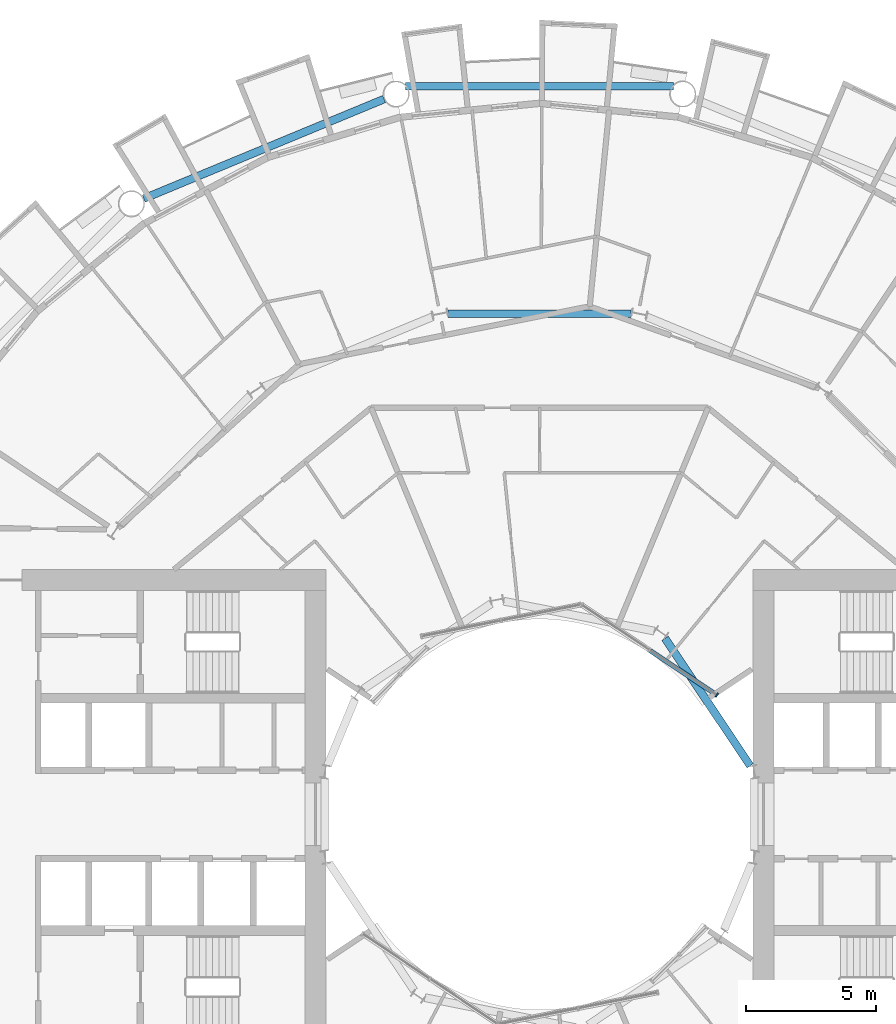
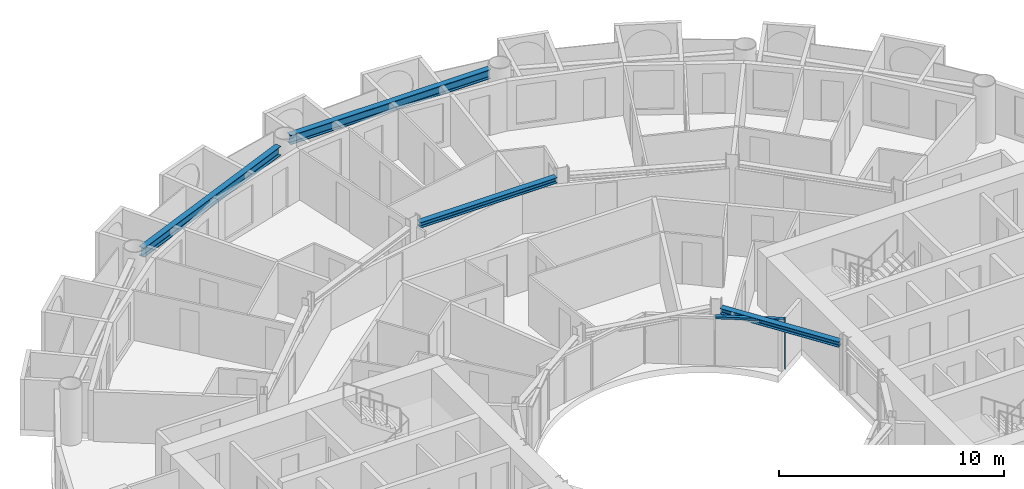
# One storey, part 8 of 26: 4 beams, 2 members, 1 element without a shape of its own.
"""IFC4 building model written with IfcOpenShell, lengths in metres."""

from ifc_helpers import new_model, si_unit, direction, frame, origin, origin_2d, place, context, subcontext, project, spatial, rectangle, i_section, extrude, material, layer, layer_set, material_profile, profile_set, type_object, element, aggregate, save


model = new_model("IFC4")

# Units and contexts
model_context = context("Model", 3, precision=1e-05, world=origin(), true_north=direction((0.0, 1.0)))
body_context = subcontext(model_context, "Body", "Model", "MODEL_VIEW")
ifc_project = project(units=[si_unit("LENGTHUNIT", "METRE"), si_unit("AREAUNIT", "SQUARE_METRE"), si_unit("VOLUMEUNIT", "CUBIC_METRE"), si_unit("PLANEANGLEUNIT", "RADIAN"), si_unit("MASSUNIT", "GRAM", prefix="KILO")], contexts=[model_context])

# Site, building, storey
site_placement = place(None, origin())
site = spatial("IfcSite", under=ifc_project, at=site_placement, CompositionType="ELEMENT")
building_placement = place(site_placement, origin())
building = spatial("IfcBuilding", under=site, at=building_placement, Name="Maasbend Ring Residences", CompositionType="ELEMENT")
storey_placement = place(building_placement, frame((0.0, 0.0, 38.050048828125)))
storey = spatial("IfcBuildingStorey", under=building, at=storey_placement, Name="L10", CompositionType="ELEMENT", Elevation=38.050048828125)

# Curtain wall, members
ifc_material_1 = material(Name="Aluminium and clear glass", Category="aluminium")
ifc_layer = layer(ifc_material_1, 0.179931640625)
ifc_layer_set = layer_set([ifc_layer], Name="CW-W")
curtain_wall_type = type_object("IfcCurtainWallType", Name="CW-W", PredefinedType="NOTDEFINED", material=ifc_layer_set)
curtain_wall_placement = place(storey_placement, origin())
curtain_wall = element("IfcCurtainWall", 1, at=curtain_wall_placement, inside=storey, type_object=curtain_wall_type, Name="Well curtain wall N1", PredefinedType="NOTDEFINED")
ifc_material_2 = material(Name="Aluminium 6063-T6", Category="aluminium")
ifc_material_profile_1 = material_profile(ifc_material_2, rectangle(XDim=0.179931640625, YDim=0.06005859375, at=origin_2d()), Name="AL 180x60")
ifc_profile_set_1 = profile_set([ifc_material_profile_1], Name="Aluminium 6063-T6")
member_type_1 = type_object("IfcMemberType", Name="CWM-W", PredefinedType="MULLION", material=ifc_profile_set_1)
member_1_placement = place(storey_placement, frame((6.805908203125, 4.580810546875, 0.0), z_axis=(0.0, 0.0, 1.0), x_axis=(-0.55557023302, -0.831469612303, 0.0)))
member_1 = element("IfcMember", 2, at=member_1_placement, type_object=member_type_1, Name="Mullion well face", PredefinedType="MULLION", context=body_context, shape_type="SweptSolid", body=[
    extrude(rectangle(XDim=0.179931640625, YDim=0.06005859375, at=origin_2d()), origin(), (0.0, 0.0, 1.0), 2.699951171875),
])
ifc_material_3 = material(Name="Aluminium 6063-T6", Category="aluminium")
ifc_material_profile_2 = material_profile(ifc_material_3, rectangle(XDim=0.179931640625, YDim=0.1201171875, at=origin_2d()), Name="AL 180x120")
ifc_profile_set_2 = profile_set([ifc_material_profile_2], Name="Aluminium 6063-T6")
member_type_2 = type_object("IfcMemberType", Name="CWT-W", PredefinedType="USERDEFINED", material=ifc_profile_set_2)
member_2_placement = place(storey_placement, frame((6.781005859375, 4.59765625, 2.639892578125), z_axis=(-0.831496422459, 0.555530106689, 0.0), x_axis=(-0.555530106689, -0.831496422459, 0.0)))
member_2 = element("IfcMember", 3, at=member_2_placement, type_object=member_type_2, Name="Transom well face", ObjectType="TRANSOM", PredefinedType="USERDEFINED", context=body_context, shape_type="SweptSolid", body=[
    extrude(rectangle(XDim=0.179931640625, YDim=0.1201171875, at=origin_2d()), origin(), (0.0, 0.0, 1.0), 3.053955078125),
])
aggregate(curtain_wall, [member_1, member_2])

# Beams
ifc_material_4 = material(Name="Steel S355J2", Category="steel")
ifc_material_profile_3 = material_profile(ifc_material_4, i_section(OverallWidth=0.300048828125, OverallDepth=0.300048828125, WebThickness=0.010986328125, FlangeThickness=0.01904296875, FilletRadius=0.027099609375, at=origin_2d()), Name="HEB 300")
ifc_profile_set_3 = profile_set([ifc_material_profile_3], Name="Steel S355J2")
beam_type_1 = type_object("IfcBeamType", Name="Corridor ring beam HEB 300", PredefinedType="BEAM", material=ifc_profile_set_3)
beam_1_placement = place(storey_placement, frame((3.5078125, 19.223388671875, 2.550048828125), z_axis=(-1.0, 0.0, 0.0), x_axis=(0.0, -1.0, 0.0)))
element("IfcBeam", 4, at=beam_1_placement, inside=storey, type_object=beam_type_1, Name="Corridor ring beam", PredefinedType="BEAM", context=body_context, shape_type="SweptSolid", body=[
    extrude(i_section(OverallWidth=0.300048828125, OverallDepth=0.300048828125, WebThickness=0.010986328125, FlangeThickness=0.01904296875, FilletRadius=0.027099609375, at=origin_2d()), origin(), (0.0, 0.0, 1.0), 7.015625),
])
ifc_material_5 = material(Name="Steel S355J2", Category="steel")
ifc_material_profile_4 = material_profile(ifc_material_5, i_section(OverallWidth=0.300048828125, OverallDepth=0.5, WebThickness=0.014404296875, FlangeThickness=0.028076171875, FilletRadius=0.027099609375, at=origin_2d()), Name="HEB 500")
ifc_profile_set_4 = profile_set([ifc_material_profile_4], Name="Steel S355J2")
beam_type_2 = type_object("IfcBeamType", Name="Spandrel ring beam HEB 500", PredefinedType="SPANDREL", material=ifc_profile_set_4)
beam_2_placement = place(storey_placement, frame((5.1435546875, 27.9580078125, 2.449951171875), z_axis=(-1.0, 0.0, 0.0), x_axis=(0.0, -1.0, 0.0)))
element("IfcBeam", 5, at=beam_2_placement, inside=storey, type_object=beam_type_2, Name="Spandrel ring beam", PredefinedType="SPANDREL", context=body_context, shape_type="SweptSolid", body=[
    extrude(i_section(OverallWidth=0.300048828125, OverallDepth=0.5, WebThickness=0.014404296875, FlangeThickness=0.028076171875, FilletRadius=0.027099609375, at=origin_2d()), origin(), (0.0, 0.0, 1.0), 10.287109375),
])
beam_3_placement = place(storey_placement, frame((-5.970703125, 27.463623046875, 2.449951171875), z_axis=(-0.923886337442, -0.382667003395, 0.0), x_axis=(0.382667003395, -0.923886337442, 0.0)))
element("IfcBeam", 6, at=beam_3_placement, inside=storey, type_object=beam_type_2, Name="Spandrel ring beam", PredefinedType="SPANDREL", context=body_context, shape_type="SweptSolid", body=[
    extrude(i_section(OverallWidth=0.300048828125, OverallDepth=0.5, WebThickness=0.014404296875, FlangeThickness=0.028076171875, FilletRadius=0.027099609375, at=origin_2d()), origin(), (0.0, 0.0, 1.0), 9.9873046875),
])
ifc_material_6 = material(Name="Steel S355J2", Category="steel")
ifc_material_profile_5 = material_profile(ifc_material_6, i_section(OverallWidth=0.300048828125, OverallDepth=0.300048828125, WebThickness=0.010986328125, FlangeThickness=0.01904296875, FilletRadius=0.027099609375, at=origin_2d()), Name="HEB 300")
ifc_profile_set_5 = profile_set([ifc_material_profile_5], Name="Steel S355J2")
beam_type_3 = type_object("IfcBeamType", Name="Well edge beam HEB 300", PredefinedType="BEAM", material=ifc_profile_set_5)
beam_4_placement = place(storey_placement, frame((8.08837890625, 1.86376953125, 2.550048828125), z_axis=(-0.555589782054, 0.831456549723, 0.0), x_axis=(-0.831456549723, -0.555589782054, 0.0)))
element("IfcBeam", 7, at=beam_4_placement, inside=storey, type_object=beam_type_3, Name="Well edge beam", PredefinedType="BEAM", context=body_context, shape_type="SweptSolid", body=[
    extrude(i_section(OverallWidth=0.300048828125, OverallDepth=0.300048828125, WebThickness=0.010986328125, FlangeThickness=0.01904296875, FilletRadius=0.027099609375, at=origin_2d()), origin(), (0.0, 0.0, 1.0), 5.887939453125),
])

save(model, "model.ifc")
